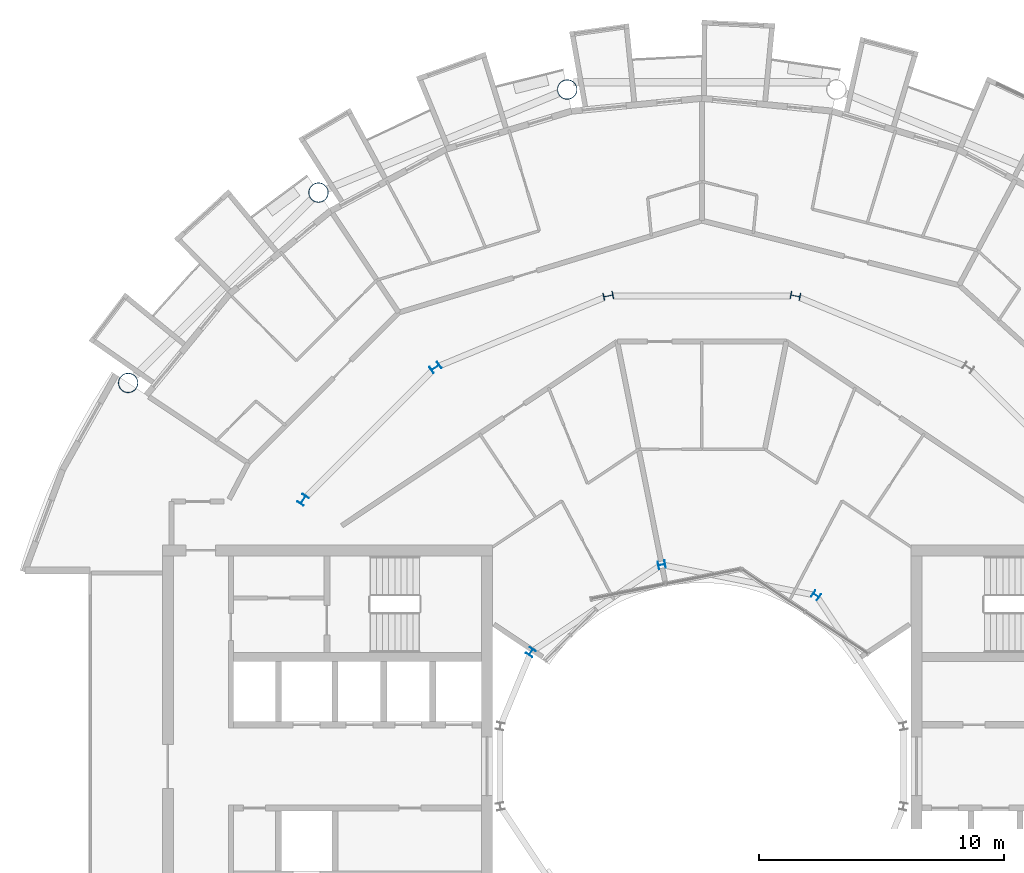
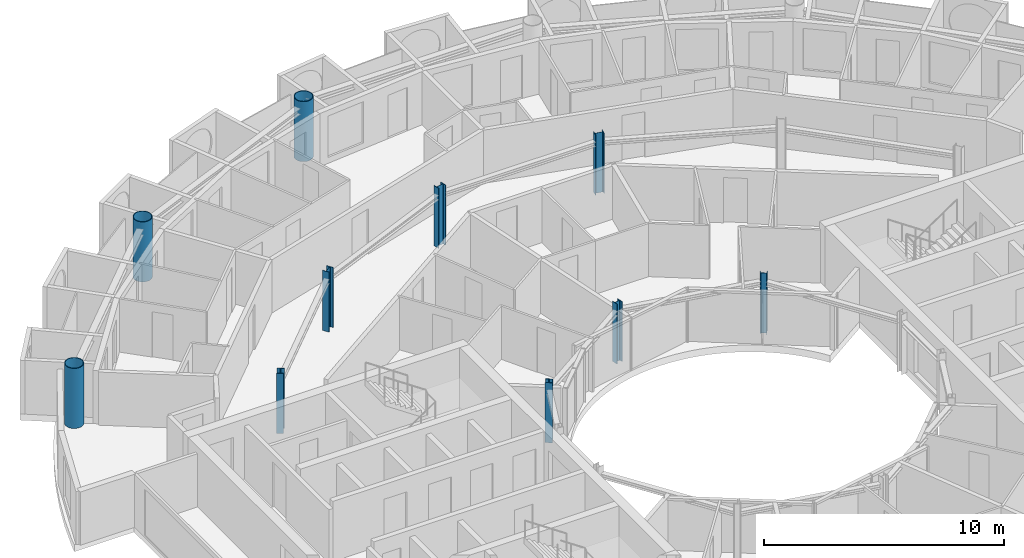
# One storey, part 4 of 28: 10 columns.
"""IFC4 building model written with IfcOpenShell, lengths in metres."""

from ifc_helpers import new_model, si_unit, direction, frame, origin, origin_2d, place, context, subcontext, project, spatial, hollow_circle, i_section, extrude, material, material_profile, profile_set, type_object, element, save


model = new_model("IFC4")

# Units and contexts
model_context = context("Model", 3, precision=1e-05, world=origin(), true_north=direction((0.0, 1.0)))
body_context = subcontext(model_context, "Body", "Model", "MODEL_VIEW")
ifc_project = project(units=[si_unit("LENGTHUNIT", "METRE"), si_unit("AREAUNIT", "SQUARE_METRE"), si_unit("VOLUMEUNIT", "CUBIC_METRE"), si_unit("PLANEANGLEUNIT", "RADIAN"), si_unit("MASSUNIT", "GRAM", prefix="KILO")], contexts=[model_context])

# Site, building, storey
site_placement = place(None, origin())
site = spatial("IfcSite", under=ifc_project, at=site_placement, CompositionType="ELEMENT")
building_placement = place(site_placement, origin())
building = spatial("IfcBuilding", under=site, at=building_placement, Name="Maasbend Ring Residences", CompositionType="ELEMENT")
storey_placement = place(building_placement, frame((0.0, 0.0, 196.300048828125)))
storey = spatial("IfcBuildingStorey", under=building, at=storey_placement, Name="L56", CompositionType="ELEMENT", Elevation=196.300048828125)

# Columns
ifc_material_1 = material(Name="Composite concrete-filled steel tube S460NH / C80/95", Category="concrete")
ifc_material_profile_1 = material_profile(ifc_material_1, hollow_circle(Radius=0.406494140625, WallThickness=0.030029296875, at=origin_2d()), Name="Composite tube column CHS 813x30")
ifc_profile_set_1 = profile_set([ifc_material_profile_1], Name="Composite concrete-filled steel tube S460NH / C80/95")
column_type_1 = type_object("IfcColumnType", Name="Composite tube column CHS 813x30", PredefinedType="COLUMN", material=ifc_profile_set_1)
for number, where, z_axis, x_axis, name in (
    (1, (-5.50146484375, 27.658203125, 0.0), (0.0, 0.0, 1.0), (1.0, 0.0, 0.0), "Outer column R5"),
    (2, (-15.6669921875, 23.447509765625, 0.0), (0.0, 0.0, 1.0), (1.0, 0.0, 0.0), "Outer column R6"),
    (3, (-23.447509765625, 15.6669921875, 0.0), (0.0, 0.0, 1.0), (1.0, 0.0, 0.0), "Outer column R7"),
):
    element("IfcColumn", number, at=place(storey_placement, frame(where, z_axis=z_axis, x_axis=x_axis)), inside=storey, type_object=column_type_1, Name=name, PredefinedType="COLUMN", context=body_context, shape_type="SweptSolid", body=[
        extrude(hollow_circle(Radius=0.406494140625, WallThickness=0.030029296875, at=origin_2d()), origin(), (0.0, 0.0, 1.0), 3.050048828125),
    ])
ifc_material_2 = material(Name="Steel S355J2", Category="steel")
ifc_material_profile_2 = material_profile(ifc_material_2, i_section(OverallWidth=0.300048828125, OverallDepth=0.2900390625, WebThickness=0.008544921875, FlangeThickness=0.013916015625, FilletRadius=0.027099609375, at=origin_2d()), Name="HEA 300")
ifc_profile_set_2 = profile_set([ifc_material_profile_2], Name="Steel S355J2")
column_type_2 = type_object("IfcColumnType", Name="Steel column HEA 300", PredefinedType="COLUMN", material=ifc_profile_set_2)
for number, where, z_axis, x_axis, name in (
    (4, (4.666748046875, 6.984375, 0.0), (0.0, 0.0, 1.0), (0.55557023302, 0.831469612303, 0.0), "Well ring column R3"),
    (5, (-1.638916015625, 8.238525390625, 0.0), (0.0, 0.0, 1.0), (-0.195090322016, 0.980785280403, 0.0), "Well ring column R5"),
    (6, (-6.984375, 4.666748046875, 0.0), (0.0, 0.0, 1.0), (-0.831469612303, 0.55557023302, 0.0), "Well ring column R7"),
):
    element("IfcColumn", number, at=place(storey_placement, frame(where, z_axis=z_axis, x_axis=x_axis)), inside=storey, type_object=column_type_2, Name=name, PredefinedType="COLUMN", context=body_context, shape_type="SweptSolid", body=[
        extrude(i_section(OverallWidth=0.300048828125, OverallDepth=0.2900390625, WebThickness=0.008544921875, FlangeThickness=0.013916015625, FilletRadius=0.027099609375, at=origin_2d()), origin(), (0.0, 0.0, 1.0), 3.050048828125),
    ])
ifc_material_3 = material(Name="Steel S355J2", Category="steel")
ifc_material_profile_3 = material_profile(ifc_material_3, i_section(OverallWidth=0.300048828125, OverallDepth=0.39990234375, WebThickness=0.013427734375, FlangeThickness=0.02392578125, FilletRadius=0.027099609375, at=origin_2d()), Name="HEB 400")
ifc_profile_set_3 = profile_set([ifc_material_profile_3], Name="Steel S355J2")
column_type_3 = type_object("IfcColumnType", Name="Steel column HEB 400", PredefinedType="COLUMN", material=ifc_profile_set_3)
for number, where, z_axis, x_axis, name in (
    (7, (3.82373046875, 19.223388671875, 0.0), (0.0, 0.0, 1.0), (0.195090322016, 0.980785280403, 0.0), "Corridor ring column R4"),
    (8, (-3.82373046875, 19.223388671875, 0.0), (0.0, 0.0, 1.0), (-0.195090322016, 0.980785280403, 0.0), "Corridor ring column R5"),
    (9, (-10.88916015625, 16.296875, 0.0), (0.0, 0.0, 1.0), (-0.55557023302, 0.831469612303, 0.0), "Corridor ring column R6"),
    (10, (-16.296875, 10.88916015625, 0.0), (0.0, 0.0, 1.0), (-0.831469612303, 0.55557023302, 0.0), "Corridor ring column R7"),
):
    element("IfcColumn", number, at=place(storey_placement, frame(where, z_axis=z_axis, x_axis=x_axis)), inside=storey, type_object=column_type_3, Name=name, PredefinedType="COLUMN", context=body_context, shape_type="SweptSolid", body=[
        extrude(i_section(OverallWidth=0.300048828125, OverallDepth=0.39990234375, WebThickness=0.013427734375, FlangeThickness=0.02392578125, FilletRadius=0.027099609375, at=origin_2d()), origin(), (0.0, 0.0, 1.0), 3.050048828125),
    ])

save(model, "model.ifc")
